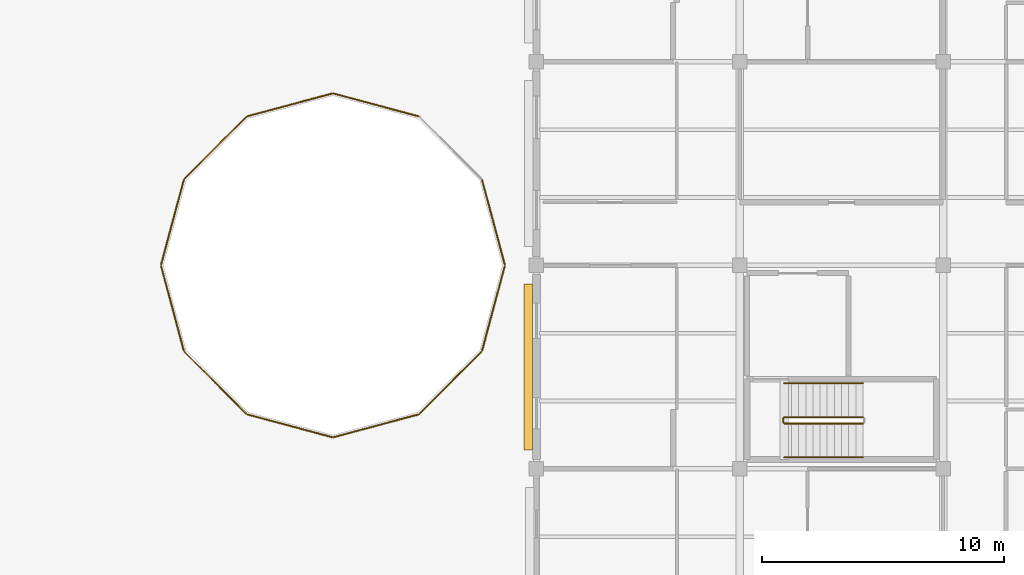
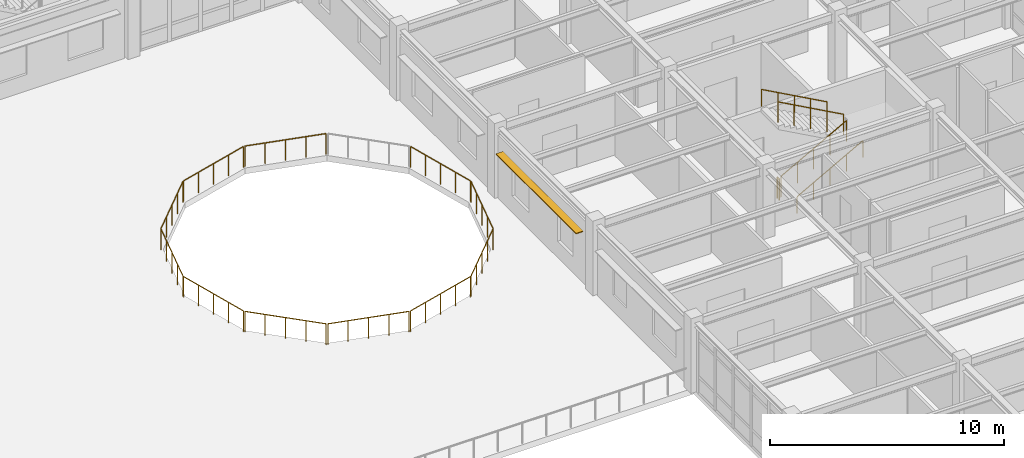
# One storey, part 78 of 86: 16 railings, 1 shading device.
"""IFC4 building model written with IfcOpenShell, lengths in metres."""

import ifcopenshell
import ifcopenshell.guid

model = None  # the IFC model being written
_history = None  # IfcOwnerHistory: only IFC2X3 demands one
_inside = {}  # id of a spatial element -> (the spatial element, [elements in it])
_under = {}  # id of a project, library or spatial element -> (it, [spatial elements below it])
_declared = {}  # id of a project -> (the project, [libraries it declares])
_typed = {}  # id of a type object -> (the type object, [elements of that type])
_made_of = {}  # id of a material, layer set ... -> (it, [elements and type objects made of it])


def new_model(schema):
    """Start an empty IFC model of exactly this schema.

    Asked for "IFC4X3", IfcOpenShell would pick the latest addendum, in which some entities
    have other attributes; the version numbers below select the first issue.
    IFC2X3 requires an IfcOwnerHistory on every rooted entity: one is made here for all.
    """
    global model, _history
    if schema == "IFC4X3":
        model = ifcopenshell.file(schema_version=(4, 3, 0, 0))
    else:
        model = ifcopenshell.file(schema=schema)
    _inside.clear()
    _under.clear()
    _declared.clear()
    _typed.clear()
    _made_of.clear()
    _history = None
    if model.schema == "IFC2X3":
        org = make("IfcOrganization", Name="unknown")
        user = make(
            "IfcPersonAndOrganization",
            ThePerson=make("IfcPerson", FamilyName="unknown"),
            TheOrganization=org,
        )
        app = make(
            "IfcApplication",
            ApplicationDeveloper=org,
            Version="unknown",
            ApplicationFullName="unknown",
            ApplicationIdentifier="unknown",
        )
        _history = make(
            "IfcOwnerHistory",
            OwningUser=user,
            OwningApplication=app,
            ChangeAction="ADDED",
            CreationDate=0,
        )
    return model


def make(cls, **values):
    """One entity of the class cls with the attributes given. An attribute that is None is left unset."""
    return model.create_entity(
        cls, **{name: value for name, value in values.items() if value is not None}
    )


def rooted(cls, **values):
    """An entity with a GlobalId (a new one), such as an element, a storey or a relation."""
    return make(cls, GlobalId=ifcopenshell.guid.new(), OwnerHistory=_history, **values)


def si_unit(unit_type, name, prefix=None):
    """IfcSIUnit, for example si_unit("LENGTHUNIT", "METRE", prefix="MILLI")."""
    return make("IfcSIUnit", UnitType=unit_type, Prefix=prefix, Name=name)


def assignment(units):
    """IfcUnitAssignment: the units of a project."""
    return None if units is None else make("IfcUnitAssignment", Units=units)


def point(xyz):
    """IfcCartesianPoint."""
    return None if xyz is None else make("IfcCartesianPoint", Coordinates=xyz)


def direction(xyz):
    """IfcDirection."""
    return None if xyz is None else make("IfcDirection", DirectionRatios=xyz)


def frame(location, z_axis=None, x_axis=None):
    """IfcAxis2Placement3D, a coordinate frame: its origin and axes. An axis left out is left unset."""
    return make(
        "IfcAxis2Placement3D",
        Location=point(location),
        Axis=direction(z_axis),
        RefDirection=direction(x_axis),
    )


def frame_2d(location, x_axis=None):
    """IfcAxis2Placement2D, a coordinate frame in the plane: its origin and x axis."""
    return make(
        "IfcAxis2Placement2D", Location=point(location), RefDirection=direction(x_axis)
    )


def origin():
    """The frame at (0, 0, 0) with its axes left unset."""
    return frame((0.0, 0.0, 0.0))


def origin_2d():
    """The frame at (0, 0) in the plane with its x axis left unset."""
    return frame_2d((0.0, 0.0))


def place(relative_to, where):
    """IfcLocalPlacement: puts the frame where relative to a parent placement (None: the world)."""
    return make(
        "IfcLocalPlacement", PlacementRelTo=relative_to, RelativePlacement=where
    )


def context(
    kind, dimensions, precision=None, world=None, true_north=None, identifier=None
):
    """IfcGeometricRepresentationContext, for example the 3D "Model" context."""
    return make(
        "IfcGeometricRepresentationContext",
        ContextIdentifier=identifier,
        ContextType=kind,
        CoordinateSpaceDimension=dimensions,
        Precision=precision,
        WorldCoordinateSystem=world,
        TrueNorth=true_north,
    )


def subcontext(parent, identifier, kind, view, scale=None):
    """IfcGeometricRepresentationSubContext, for example "Body" below "Model"."""
    return make(
        "IfcGeometricRepresentationSubContext",
        ContextIdentifier=identifier,
        ContextType=kind,
        ParentContext=parent,
        TargetScale=scale,
        TargetView=view,
    )


def project(units=None, contexts=None):
    """IfcProject with its units and contexts."""
    return rooted(
        "IfcProject",
        Name="project",
        RepresentationContexts=contexts,
        UnitsInContext=assignment(units),
    )


def spatial(cls, under=None, at=None, **own):
    """A site, building, storey or space (cls), placed at a placement, below another one or the project."""
    s = rooted(cls, ObjectPlacement=at, **own)
    if under is not None:
        _under.setdefault(under.id(), (under, []))[1].append(s)
    return s


def profile(cls, at=None, kind="AREA", **sizes):
    """A parametric profile (cls). Its sizes go by their IFC names, for example OverallWidth=200.0."""
    return make(cls, ProfileType=kind, Position=at, **sizes)


def rectangle(**sizes):
    """IfcRectangleProfileDef."""
    return profile("IfcRectangleProfileDef", **sizes)


def circle(**sizes):
    """IfcCircleProfileDef."""
    return profile("IfcCircleProfileDef", **sizes)


def extrude(swept, where, along, depth):
    """IfcExtrudedAreaSolid: the profile swept, set in the frame where, extruded along a direction by depth."""
    return make(
        "IfcExtrudedAreaSolid",
        SweptArea=swept,
        Position=where,
        ExtrudedDirection=direction(along),
        Depth=depth,
    )


def shape(context_of_items, identifier, shape_type, items):
    """IfcShapeRepresentation: the items that make up one representation, for example the "Body"."""
    return make(
        "IfcShapeRepresentation",
        ContextOfItems=context_of_items,
        RepresentationIdentifier=identifier,
        RepresentationType=shape_type,
        Items=items,
    )


def material(Name=None, Category=None):
    """IfcMaterial."""
    return make("IfcMaterial", Name=Name, Category=Category)


def material_profile(
    of_material, cross_section, Name=None, Category=None, Priority=None
):
    """IfcMaterialProfile: a cross section and its material."""
    return make(
        "IfcMaterialProfile",
        Name=Name,
        Material=of_material,
        Profile=cross_section,
        Priority=Priority,
        Category=Category,
    )


def profile_set(profiles, Name=None, composite=None):
    """IfcMaterialProfileSet."""
    return make(
        "IfcMaterialProfileSet",
        Name=Name,
        MaterialProfiles=profiles,
        CompositeProfile=composite,
    )


def made_of(thing, what):
    """Note that an element or type object is made of a material, layer set ...; save() writes the relation."""
    if what is not None:
        _made_of.setdefault(what.id(), (what, []))[1].append(thing)
    return thing


def type_object(cls, material=None, **own):
    """A type object (cls), such as IfcWallType, which elements share."""
    return made_of(rooted(cls, **own), material)


def element(
    cls,
    number,
    at=None,
    inside=None,
    cuts=None,
    type_object=None,
    material=None,
    context=None,
    identifier="Body",
    shape_type=None,
    held_by="IfcProductDefinitionShape",
    body=None,
    shapes=None,
    **own,
):
    """One element of the class cls, such as IfcWall. Its Tag is "e" and its number.

    at: its placement. inside: the storey or other place that contains it. cuts: it is an
    opening in that element (IfcRelVoidsElement). A single representation is given by context,
    identifier, shape_type and body (its items); several are given by shapes. held_by: the class
    of the entity that holds the representations. save() writes the other relations.
    """
    e = rooted(cls, Tag="e%d" % number, ObjectPlacement=at, **own)
    if body is not None:
        shapes = [shape(context, identifier, shape_type, body)]
    if shapes is not None:
        e.Representation = make(held_by, Representations=shapes)
    if inside is not None:
        _inside.setdefault(inside.id(), (inside, []))[1].append(e)
    if cuts is not None:
        rooted(
            "IfcRelVoidsElement", RelatingBuildingElement=cuts, RelatedOpeningElement=e
        )
    if type_object is not None:
        _typed.setdefault(type_object.id(), (type_object, []))[1].append(e)
    return made_of(e, material)


def aggregate(whole, parts):
    """IfcRelAggregates: a whole, such as a stair, and the parts it consists of."""
    return rooted("IfcRelAggregates", RelatingObject=whole, RelatedObjects=parts)


def save(model, path):
    """Write the relations noted so far, then the file.

    IfcRelAggregates (storeys below a building ...), IfcRelContainedInSpatialStructure (elements
    in a storey), IfcRelDefinesByType, IfcRelAssociatesMaterial and IfcRelDeclares: one each for
    every whole, place, type object, material and project.
    """
    for whole, parts in _under.values():
        aggregate(whole, parts)
    for where, things in _inside.values():
        rooted(
            "IfcRelContainedInSpatialStructure",
            RelatedElements=things,
            RelatingStructure=where,
        )
    for kind, things in _typed.values():
        rooted("IfcRelDefinesByType", RelatedObjects=things, RelatingType=kind)
    for what, things in _made_of.values():
        rooted("IfcRelAssociatesMaterial", RelatedObjects=things, RelatingMaterial=what)
    for by, libraries in _declared.values():
        rooted("IfcRelDeclares", RelatingContext=by, RelatedDefinitions=libraries)
    model.write(path)


model = new_model("IFC4")

# Units and contexts
model_context = context("Model", 3, precision=1e-05, world=origin(), true_north=direction((0.0, 1.0)))
body_context = subcontext(model_context, "Body", "Model", "MODEL_VIEW")
ifc_project = project(units=[si_unit("LENGTHUNIT", "METRE"), si_unit("AREAUNIT", "SQUARE_METRE"), si_unit("VOLUMEUNIT", "CUBIC_METRE"), si_unit("PLANEANGLEUNIT", "RADIAN"), si_unit("MASSUNIT", "GRAM", prefix="KILO")], contexts=[model_context])

# Site, building, storey
site_placement = place(None, origin())
site = spatial("IfcSite", under=ifc_project, at=site_placement, CompositionType="ELEMENT")
building_placement = place(site_placement, origin())
building = spatial("IfcBuilding", under=site, at=building_placement, Name="Bramfleet General Hospital", CompositionType="ELEMENT")
storey_placement = place(building_placement, frame((0.0, 0.0, 18.60009765625)))
storey = spatial("IfcBuildingStorey", under=building, at=storey_placement, Name="L04", CompositionType="ELEMENT", Elevation=18.60009765625)

# Railings
ifc_material_1 = material(Name="Stainless steel 1.4401 safety balustrade", Category="steel")
railing_type_1 = type_object("IfcRailingType", Name="RAIL-EXT-GUARD", PredefinedType="GUARDRAIL", material=ifc_material_1)
railing_1_placement = place(storey_placement, frame((77.874267578125, 72.022216796875, 0.0)))
element("IfcRailing", 1, at=railing_1_placement, inside=storey, type_object=railing_type_1, Name="L04 Safety Guard Rail 171", PredefinedType="GUARDRAIL", context=body_context, shape_type="SweptSolid", body=[
    extrude(circle(Radius=0.02392578125, at=origin_2d()), frame((0.0, 0.0, 1.076171875), z_axis=(0.707072903751, -0.707140656999, 0.0), x_axis=(0.707140656999, 0.707072903751, 0.0)), (0.0, 0.0, 1.0), 3.603271484375),
    extrude(circle(Radius=0.02099609375, at=origin_2d()), origin(), (0.0, 0.0, 1.0), 1.052001953125),
    extrude(circle(Radius=0.02099609375, at=origin_2d()), frame((0.636962890625, -0.636962890625, 0.0)), (0.0, 0.0, 1.0), 1.052001953125),
    extrude(circle(Radius=0.02099609375, at=origin_2d()), frame((1.27392578125, -1.27392578125, 0.0)), (0.0, 0.0, 1.0), 1.052001953125),
    extrude(circle(Radius=0.02099609375, at=origin_2d()), frame((1.910888671875, -1.9111328125, 0.0)), (0.0, 0.0, 1.0), 1.052001953125),
    extrude(circle(Radius=0.02099609375, at=origin_2d()), frame((2.5478515625, -2.548095703125, 0.0)), (0.0, 0.0, 1.0), 1.052001953125),
])
railing_2_placement = place(storey_placement, frame((80.48388671875, 69.438720703125, 0.0)))
element("IfcRailing", 2, at=railing_2_placement, inside=storey, type_object=railing_type_1, Name="L04 Safety Guard Rail 172", PredefinedType="GUARDRAIL", context=body_context, shape_type="SweptSolid", body=[
    extrude(circle(Radius=0.02392578125, at=origin_2d()), frame((0.0, 0.0, 1.076171875), z_axis=(0.965928394629, -0.258809459738, 0.0), x_axis=(0.258809459738, 0.965928394629, 0.0)), (0.0, 0.0, 1.0), 3.603515625),
    extrude(circle(Radius=0.02099609375, at=origin_2d()), origin(), (0.0, 0.0, 1.0), 1.052001953125),
    extrude(circle(Radius=0.02099609375, at=origin_2d()), frame((0.8701171875, -0.233154296875, 0.0)), (0.0, 0.0, 1.0), 1.052001953125),
    extrude(circle(Radius=0.02099609375, at=origin_2d()), frame((1.740234375, -0.46630859375, 0.0)), (0.0, 0.0, 1.0), 1.052001953125),
    extrude(circle(Radius=0.02099609375, at=origin_2d()), frame((2.610595703125, -0.699462890625, 0.0)), (0.0, 0.0, 1.0), 1.052001953125),
    extrude(circle(Radius=0.02099609375, at=origin_2d()), frame((3.480712890625, -0.9326171875, 0.0)), (0.0, 0.0, 1.0), 1.052001953125),
])
railing_3_placement = place(storey_placement, frame((84.035400390625, 68.506103515625, 0.0)))
element("IfcRailing", 3, at=railing_3_placement, inside=storey, type_object=railing_type_1, Name="L04 Safety Guard Rail 173", PredefinedType="GUARDRAIL", context=body_context, shape_type="SweptSolid", body=[
    extrude(circle(Radius=0.02392578125, at=origin_2d()), frame((0.0, 0.0, 1.076171875), z_axis=(0.965928394629, 0.258809459738, 0.0), x_axis=(-0.258809459738, 0.965928394629, 0.0)), (0.0, 0.0, 1.0), 3.603515625),
    extrude(circle(Radius=0.02099609375, at=origin_2d()), origin(), (0.0, 0.0, 1.0), 1.052001953125),
    extrude(circle(Radius=0.02099609375, at=origin_2d()), frame((0.8701171875, 0.233154296875, 0.0)), (0.0, 0.0, 1.0), 1.052001953125),
    extrude(circle(Radius=0.02099609375, at=origin_2d()), frame((1.740234375, 0.46630859375, 0.0)), (0.0, 0.0, 1.0), 1.052001953125),
    extrude(circle(Radius=0.02099609375, at=origin_2d()), frame((2.610595703125, 0.699462890625, 0.0)), (0.0, 0.0, 1.0), 1.052001953125),
    extrude(circle(Radius=0.02099609375, at=origin_2d()), frame((3.480712890625, 0.9326171875, 0.0)), (0.0, 0.0, 1.0), 1.052001953125),
])
railing_4_placement = place(storey_placement, frame((87.577880859375, 69.47412109375, 0.0)))
element("IfcRailing", 4, at=railing_4_placement, inside=storey, type_object=railing_type_1, Name="L04 Safety Guard Rail 174", PredefinedType="GUARDRAIL", context=body_context, shape_type="SweptSolid", body=[
    extrude(circle(Radius=0.02392578125, at=origin_2d()), frame((0.0, 0.0, 1.076171875), z_axis=(0.707072903751, 0.707140656999, 0.0), x_axis=(-0.707140656999, 0.707072903751, 0.0)), (0.0, 0.0, 1.0), 3.603271484375),
    extrude(circle(Radius=0.02099609375, at=origin_2d()), origin(), (0.0, 0.0, 1.0), 1.052001953125),
    extrude(circle(Radius=0.02099609375, at=origin_2d()), frame((0.636962890625, 0.636962890625, 0.0)), (0.0, 0.0, 1.0), 1.052001953125),
    extrude(circle(Radius=0.02099609375, at=origin_2d()), frame((1.27392578125, 1.27392578125, 0.0)), (0.0, 0.0, 1.0), 1.052001953125),
    extrude(circle(Radius=0.02099609375, at=origin_2d()), frame((1.910888671875, 1.9111328125, 0.0)), (0.0, 0.0, 1.0), 1.052001953125),
    extrude(circle(Radius=0.02099609375, at=origin_2d()), frame((2.5478515625, 2.548095703125, 0.0)), (0.0, 0.0, 1.0), 1.052001953125),
])
railing_5_placement = place(storey_placement, frame((90.161376953125, 72.083740234375, 0.0)))
element("IfcRailing", 5, at=railing_5_placement, inside=storey, type_object=railing_type_1, Name="L04 Safety Guard Rail 175", PredefinedType="GUARDRAIL", context=body_context, shape_type="SweptSolid", body=[
    extrude(circle(Radius=0.02392578125, at=origin_2d()), frame((0.0, 0.0, 1.076171875), z_axis=(0.258809459738, 0.965928394629, 0.0), x_axis=(-0.965928394629, 0.258809459738, 0.0)), (0.0, 0.0, 1.0), 3.603515625),
    extrude(circle(Radius=0.02099609375, at=origin_2d()), origin(), (0.0, 0.0, 1.0), 1.052001953125),
    extrude(circle(Radius=0.02099609375, at=origin_2d()), frame((0.233154296875, 0.8701171875, 0.0)), (0.0, 0.0, 1.0), 1.052001953125),
    extrude(circle(Radius=0.02099609375, at=origin_2d()), frame((0.46630859375, 1.740234375, 0.0)), (0.0, 0.0, 1.0), 1.052001953125),
    extrude(circle(Radius=0.02099609375, at=origin_2d()), frame((0.699462890625, 2.610595703125, 0.0)), (0.0, 0.0, 1.0), 1.052001953125),
    extrude(circle(Radius=0.02099609375, at=origin_2d()), frame((0.9326171875, 3.480712890625, 0.0)), (0.0, 0.0, 1.0), 1.052001953125),
])
railing_6_placement = place(storey_placement, frame((91.093994140625, 75.635498046875, 0.0)))
element("IfcRailing", 6, at=railing_6_placement, inside=storey, type_object=railing_type_1, Name="L04 Safety Guard Rail 176", PredefinedType="GUARDRAIL", context=body_context, shape_type="SweptSolid", body=[
    extrude(circle(Radius=0.02392578125, at=origin_2d()), frame((0.0, 0.0, 1.076171875), z_axis=(-0.258809459738, 0.965928394629, 0.0), x_axis=(-0.965928394629, -0.258809459738, 0.0)), (0.0, 0.0, 1.0), 3.603515625),
    extrude(circle(Radius=0.02099609375, at=origin_2d()), origin(), (0.0, 0.0, 1.0), 1.052001953125),
    extrude(circle(Radius=0.02099609375, at=origin_2d()), frame((-0.233154296875, 0.8701171875, 0.0)), (0.0, 0.0, 1.0), 1.052001953125),
    extrude(circle(Radius=0.02099609375, at=origin_2d()), frame((-0.46630859375, 1.740234375, 0.0)), (0.0, 0.0, 1.0), 1.052001953125),
    extrude(circle(Radius=0.02099609375, at=origin_2d()), frame((-0.699462890625, 2.610595703125, 0.0)), (0.0, 0.0, 1.0), 1.052001953125),
    extrude(circle(Radius=0.02099609375, at=origin_2d()), frame((-0.9326171875, 3.480712890625, 0.0)), (0.0, 0.0, 1.0), 1.052001953125),
])
railing_7_placement = place(storey_placement, frame((87.51611328125, 81.761474609375, 0.0)))
element("IfcRailing", 7, at=railing_7_placement, inside=storey, type_object=railing_type_1, Name="L04 Safety Guard Rail 178", PredefinedType="GUARDRAIL", context=body_context, shape_type="SweptSolid", body=[
    extrude(circle(Radius=0.02392578125, at=origin_2d()), frame((0.0, 0.0, 1.076171875), z_axis=(-0.965928394629, 0.258809459738, 0.0), x_axis=(-0.258809459738, -0.965928394629, 0.0)), (0.0, 0.0, 1.0), 3.603515625),
    extrude(circle(Radius=0.02099609375, at=origin_2d()), origin(), (0.0, 0.0, 1.0), 1.052001953125),
    extrude(circle(Radius=0.02099609375, at=origin_2d()), frame((-0.8701171875, 0.233154296875, 0.0)), (0.0, 0.0, 1.0), 1.052001953125),
    extrude(circle(Radius=0.02099609375, at=origin_2d()), frame((-1.740234375, 0.46630859375, 0.0)), (0.0, 0.0, 1.0), 1.052001953125),
    extrude(circle(Radius=0.02099609375, at=origin_2d()), frame((-2.610595703125, 0.699462890625, 0.0)), (0.0, 0.0, 1.0), 1.052001953125),
    extrude(circle(Radius=0.02099609375, at=origin_2d()), frame((-3.480712890625, 0.9326171875, 0.0)), (0.0, 0.0, 1.0), 1.052001953125),
])
railing_8_placement = place(storey_placement, frame((83.964599609375, 82.694091796875, 0.0)))
element("IfcRailing", 8, at=railing_8_placement, inside=storey, type_object=railing_type_1, Name="L04 Safety Guard Rail 179", PredefinedType="GUARDRAIL", context=body_context, shape_type="SweptSolid", body=[
    extrude(circle(Radius=0.02392578125, at=origin_2d()), frame((0.0, 0.0, 1.076171875), z_axis=(-0.965928394629, -0.258809459738, 0.0), x_axis=(0.258809459738, -0.965928394629, 0.0)), (0.0, 0.0, 1.0), 3.603515625),
    extrude(circle(Radius=0.02099609375, at=origin_2d()), origin(), (0.0, 0.0, 1.0), 1.052001953125),
    extrude(circle(Radius=0.02099609375, at=origin_2d()), frame((-0.8701171875, -0.233154296875, 0.0)), (0.0, 0.0, 1.0), 1.052001953125),
    extrude(circle(Radius=0.02099609375, at=origin_2d()), frame((-1.740234375, -0.46630859375, 0.0)), (0.0, 0.0, 1.0), 1.052001953125),
    extrude(circle(Radius=0.02099609375, at=origin_2d()), frame((-2.610595703125, -0.699462890625, 0.0)), (0.0, 0.0, 1.0), 1.052001953125),
    extrude(circle(Radius=0.02099609375, at=origin_2d()), frame((-3.480712890625, -0.9326171875, 0.0)), (0.0, 0.0, 1.0), 1.052001953125),
])
railing_9_placement = place(storey_placement, frame((80.422119140625, 81.725830078125, 0.0)))
element("IfcRailing", 9, at=railing_9_placement, inside=storey, type_object=railing_type_1, Name="L04 Safety Guard Rail 180", PredefinedType="GUARDRAIL", context=body_context, shape_type="SweptSolid", body=[
    extrude(circle(Radius=0.02392578125, at=origin_2d()), frame((0.0, 0.0, 1.076171875), z_axis=(-0.707072903751, -0.707140656999, 0.0), x_axis=(0.707140656999, -0.707072903751, 0.0)), (0.0, 0.0, 1.0), 3.603271484375),
    extrude(circle(Radius=0.02099609375, at=origin_2d()), origin(), (0.0, 0.0, 1.0), 1.052001953125),
    extrude(circle(Radius=0.02099609375, at=origin_2d()), frame((-0.636962890625, -0.636962890625, 0.0)), (0.0, 0.0, 1.0), 1.052001953125),
    extrude(circle(Radius=0.02099609375, at=origin_2d()), frame((-1.27392578125, -1.27392578125, 0.0)), (0.0, 0.0, 1.0), 1.052001953125),
    extrude(circle(Radius=0.02099609375, at=origin_2d()), frame((-1.910888671875, -1.9111328125, 0.0)), (0.0, 0.0, 1.0), 1.052001953125),
    extrude(circle(Radius=0.02099609375, at=origin_2d()), frame((-2.5478515625, -2.548095703125, 0.0)), (0.0, 0.0, 1.0), 1.052001953125),
])
railing_10_placement = place(storey_placement, frame((77.838623046875, 79.1162109375, 0.0)))
element("IfcRailing", 10, at=railing_10_placement, inside=storey, type_object=railing_type_1, Name="L04 Safety Guard Rail 181", PredefinedType="GUARDRAIL", context=body_context, shape_type="SweptSolid", body=[
    extrude(circle(Radius=0.02392578125, at=origin_2d()), frame((0.0, 0.0, 1.076171875), z_axis=(-0.258809459738, -0.965928394629, 0.0), x_axis=(0.965928394629, -0.258809459738, 0.0)), (0.0, 0.0, 1.0), 3.603515625),
    extrude(circle(Radius=0.02099609375, at=origin_2d()), origin(), (0.0, 0.0, 1.0), 1.052001953125),
    extrude(circle(Radius=0.02099609375, at=origin_2d()), frame((-0.233154296875, -0.8701171875, 0.0)), (0.0, 0.0, 1.0), 1.052001953125),
    extrude(circle(Radius=0.02099609375, at=origin_2d()), frame((-0.46630859375, -1.740234375, 0.0)), (0.0, 0.0, 1.0), 1.052001953125),
    extrude(circle(Radius=0.02099609375, at=origin_2d()), frame((-0.699462890625, -2.610595703125, 0.0)), (0.0, 0.0, 1.0), 1.052001953125),
    extrude(circle(Radius=0.02099609375, at=origin_2d()), frame((-0.9326171875, -3.480712890625, 0.0)), (0.0, 0.0, 1.0), 1.052001953125),
])
railing_11_placement = place(storey_placement, frame((76.906005859375, 75.564453125, 0.0)))
element("IfcRailing", 11, at=railing_11_placement, inside=storey, type_object=railing_type_1, Name="L04 Safety Guard Rail 182", PredefinedType="GUARDRAIL", context=body_context, shape_type="SweptSolid", body=[
    extrude(circle(Radius=0.02392578125, at=origin_2d()), frame((0.0, 0.0, 1.076171875), z_axis=(0.258809459738, -0.965928394629, 0.0), x_axis=(0.965928394629, 0.258809459738, 0.0)), (0.0, 0.0, 1.0), 3.603515625),
    extrude(circle(Radius=0.02099609375, at=origin_2d()), origin(), (0.0, 0.0, 1.0), 1.052001953125),
    extrude(circle(Radius=0.02099609375, at=origin_2d()), frame((0.233154296875, -0.8701171875, 0.0)), (0.0, 0.0, 1.0), 1.052001953125),
    extrude(circle(Radius=0.02099609375, at=origin_2d()), frame((0.46630859375, -1.740234375, 0.0)), (0.0, 0.0, 1.0), 1.052001953125),
    extrude(circle(Radius=0.02099609375, at=origin_2d()), frame((0.699462890625, -2.610595703125, 0.0)), (0.0, 0.0, 1.0), 1.052001953125),
    extrude(circle(Radius=0.02099609375, at=origin_2d()), frame((0.9326171875, -3.480712890625, 0.0)), (0.0, 0.0, 1.0), 1.052001953125),
])
ifc_material_2 = material(Name="Powder-coated steel stair balustrade", Category="steel")
railing_type_2 = type_object("IfcRailingType", Name="RAIL-ST-GUARD", PredefinedType="GUARDRAIL", material=ifc_material_2)
railing_12_placement = place(storey_placement, frame((102.639892578125, 69.070068359375, 0.162353515625)))
element("IfcRailing", 12, at=railing_12_placement, inside=storey, type_object=railing_type_2, Name="L04 ST-C11 stair guard 1", PredefinedType="GUARDRAIL", context=body_context, shape_type="SweptSolid", body=[
    extrude(circle(Radius=0.02392578125, at=origin_2d()), frame((0.0, 0.0, 1.076171875), z_axis=(0.875898504189, 0.0, 0.482495399314), x_axis=(0.0, 1.0, 0.0)), (0.0, 0.0, 1.0), 3.704833984375),
    extrude(circle(Radius=0.02099609375, at=origin_2d()), origin(), (0.0, 0.0, 1.0), 1.052001953125),
    extrude(circle(Radius=0.02099609375, at=origin_2d()), frame((0.811279296875, 0.0, 0.44677734375)), (0.0, 0.0, 1.0), 1.052001953125),
    extrude(circle(Radius=0.02099609375, at=origin_2d()), frame((1.62255859375, 0.0, 0.893798828125)), (0.0, 0.0, 1.0), 1.052001953125),
    extrude(circle(Radius=0.02099609375, at=origin_2d()), frame((2.433837890625, 0.0, 1.3408203125)), (0.0, 0.0, 1.0), 1.052001953125),
    extrude(circle(Radius=0.02099609375, at=origin_2d()), frame((3.2451171875, 0.0, 1.78759765625)), (0.0, 0.0, 1.0), 1.052001953125),
])
railing_13_placement = place(storey_placement, frame((105.885009765625, 69.330078125, 2.1123046875)))
element("IfcRailing", 13, at=railing_13_placement, inside=storey, type_object=railing_type_2, Name="L04 ST-C11 stair guard 3", PredefinedType="GUARDRAIL", context=body_context, shape_type="SweptSolid", body=[
    extrude(circle(Radius=0.02392578125, at=origin_2d()), frame((0.0, 0.0, 1.076171875), z_axis=(-0.875898504189, 0.0, 0.482495399314), x_axis=(0.0, -1.0, 0.0)), (0.0, 0.0, 1.0), 3.704833984375),
    extrude(circle(Radius=0.02099609375, at=origin_2d()), origin(), (0.0, 0.0, 1.0), 1.052001953125),
    extrude(circle(Radius=0.02099609375, at=origin_2d()), frame((-0.811279296875, 0.0, 0.44677734375)), (0.0, 0.0, 1.0), 1.052001953125),
    extrude(circle(Radius=0.02099609375, at=origin_2d()), frame((-1.62255859375, 0.0, 0.893798828125)), (0.0, 0.0, 1.0), 1.052001953125),
    extrude(circle(Radius=0.02099609375, at=origin_2d()), frame((-2.433837890625, 0.0, 1.3408203125)), (0.0, 0.0, 1.0), 1.052001953125),
    extrude(circle(Radius=0.02099609375, at=origin_2d()), frame((-3.2451171875, 0.0, 1.78759765625)), (0.0, 0.0, 1.0), 1.052001953125),
])
railing_14_placement = place(storey_placement, frame((102.590087890625, 69.1201171875, 0.0)))
element("IfcRailing", 14, at=railing_14_placement, inside=storey, type_object=railing_type_2, Name="L04 ST-C11 stair guard 4", PredefinedType="GUARDRAIL", context=body_context, shape_type="SweptSolid", body=[
    extrude(circle(Radius=0.02392578125, at=origin_2d()), frame((0.0, 0.0, 1.076171875), z_axis=(0.0, 1.0, 0.0), x_axis=(-1.0, 0.0, 0.0)), (0.0, 0.0, 1.0), 0.159912109375),
    extrude(circle(Radius=0.02099609375, at=origin_2d()), origin(), (0.0, 0.0, 1.0), 1.052001953125),
    extrude(circle(Radius=0.02099609375, at=origin_2d()), frame((0.0, 0.159912109375, 0.0)), (0.0, 0.0, 1.0), 1.052001953125),
])
ifc_material_3 = material(Name="Stainless steel 1.4301 stair handrail", Category="steel")
railing_type_3 = type_object("IfcRailingType", Name="RAIL-ST-HND", PredefinedType="HANDRAIL", material=ifc_material_3)
railing_15_placement = place(storey_placement, frame((102.639892578125, 67.669921875, 0.162353515625)))
element("IfcRailing", 15, at=railing_15_placement, inside=storey, type_object=railing_type_3, Name="L04 ST-C11 stair handrail 1", PredefinedType="HANDRAIL", context=body_context, shape_type="SweptSolid", body=[
    extrude(circle(Radius=0.02392578125, at=origin_2d()), frame((0.0, 0.0, 0.8759765625), z_axis=(0.875898504189, 0.0, 0.482495399314), x_axis=(0.0, 1.0, 0.0)), (0.0, 0.0, 1.0), 3.704833984375),
    extrude(circle(Radius=0.02099609375, at=origin_2d()), origin(), (0.0, 0.0, 1.0), 0.851806640625),
    extrude(circle(Radius=0.02099609375, at=origin_2d()), frame((0.811279296875, 0.0, 0.44677734375)), (0.0, 0.0, 1.0), 0.851806640625),
    extrude(circle(Radius=0.02099609375, at=origin_2d()), frame((1.62255859375, 0.0, 0.893798828125)), (0.0, 0.0, 1.0), 0.851806640625),
    extrude(circle(Radius=0.02099609375, at=origin_2d()), frame((2.433837890625, 0.0, 1.3408203125)), (0.0, 0.0, 1.0), 0.851806640625),
    extrude(circle(Radius=0.02099609375, at=origin_2d()), frame((3.2451171875, 0.0, 1.78759765625)), (0.0, 0.0, 1.0), 0.851806640625),
])
railing_16_placement = place(storey_placement, frame((105.885009765625, 70.72998046875, 2.1123046875)))
element("IfcRailing", 16, at=railing_16_placement, inside=storey, type_object=railing_type_3, Name="L04 ST-C11 stair handrail 2", PredefinedType="HANDRAIL", context=body_context, shape_type="SweptSolid", body=[
    extrude(circle(Radius=0.02392578125, at=origin_2d()), frame((0.0, 0.0, 0.8759765625), z_axis=(-0.875898504189, 0.0, 0.482495399314), x_axis=(0.0, -1.0, 0.0)), (0.0, 0.0, 1.0), 3.704833984375),
    extrude(circle(Radius=0.02099609375, at=origin_2d()), origin(), (0.0, 0.0, 1.0), 0.851806640625),
    extrude(circle(Radius=0.02099609375, at=origin_2d()), frame((-0.811279296875, 0.0, 0.44677734375)), (0.0, 0.0, 1.0), 0.851806640625),
    extrude(circle(Radius=0.02099609375, at=origin_2d()), frame((-1.62255859375, 0.0, 0.893798828125)), (0.0, 0.0, 1.0), 0.851806640625),
    extrude(circle(Radius=0.02099609375, at=origin_2d()), frame((-2.433837890625, 0.0, 1.3408203125)), (0.0, 0.0, 1.0), 0.851806640625),
    extrude(circle(Radius=0.02099609375, at=origin_2d()), frame((-3.2451171875, 0.0, 1.78759765625)), (0.0, 0.0, 1.0), 0.851806640625),
])

# Shading device
ifc_material_4 = material(Name="Anodised aluminium EN AW-6063", Category="aluminium")
ifc_material_profile = material_profile(ifc_material_4, rectangle(XDim=0.050048828125, YDim=0.35009765625, at=origin_2d()), Name="ALU LOUVRE 350x50")
ifc_profile_set = profile_set([ifc_material_profile], Name="Anodised aluminium EN AW-6063")
shading_device_type = type_object("IfcShadingDeviceType", Name="SHD-LVR-350", PredefinedType="USERDEFINED", material=ifc_profile_set)
shading_device_placement = place(storey_placement, frame((92.072509765625, 67.97509765625, 2.669921875), z_axis=(0.0, 1.0, 0.0), x_axis=(0.0, 0.0, 1.0)))
element("IfcShadingDevice", 17, at=shading_device_placement, inside=storey, type_object=shading_device_type, Name="L04 Solar Shading Louvre 36", ObjectType="Louvre", PredefinedType="USERDEFINED", context=body_context, shape_type="SweptSolid", body=[
    extrude(rectangle(XDim=0.050048828125, YDim=0.35009765625, at=origin_2d()), origin(), (0.0, 0.0, 1.0), 6.849853515625),
])

save(model, "model.ifc")
